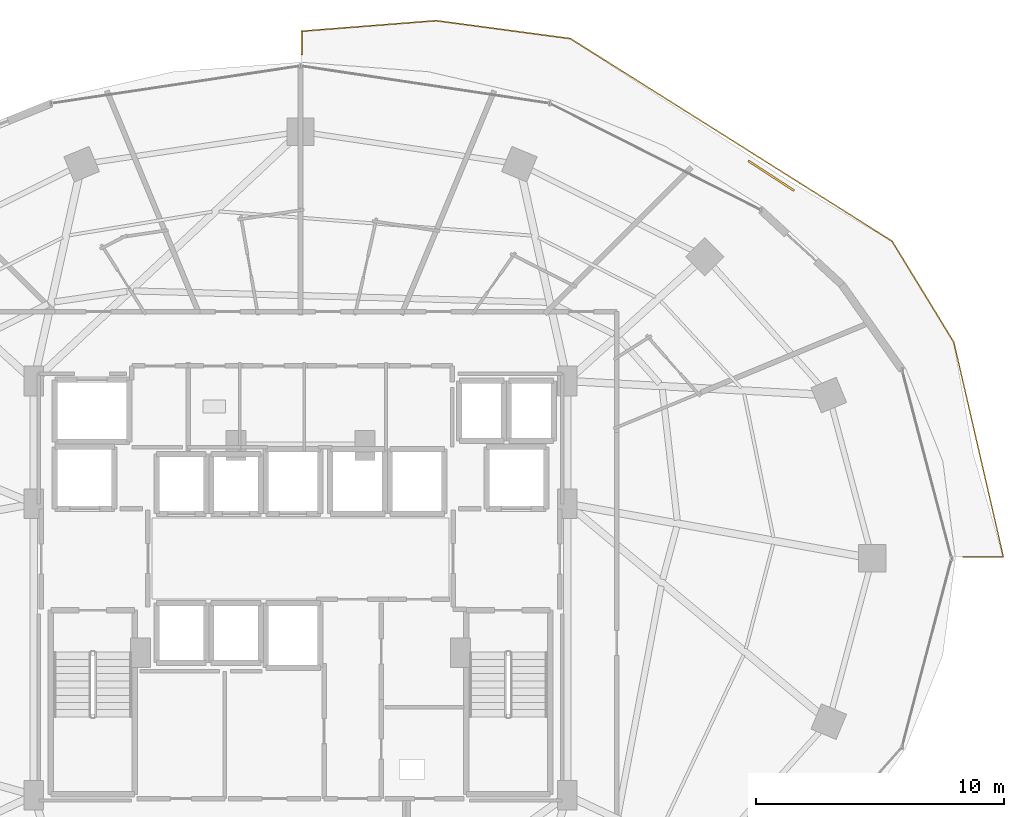
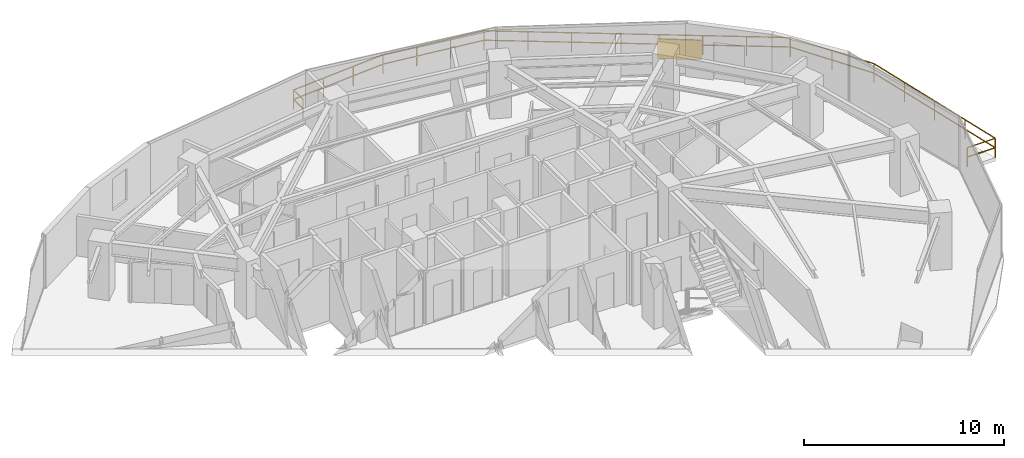
# One storey, part 30 of 31: 2 railings, 1 shading device.
"""IFC4 building model written with IfcOpenShell, lengths in metres."""

from ifc_helpers import new_model, si_unit, direction, frame, origin, origin_2d, place, context, subcontext, project, spatial, rectangle, extrude, material, type_object, element, save


model = new_model("IFC4")

# Units and contexts
model_context = context("Model", 3, precision=1e-05, world=origin(), true_north=direction((0.0, 1.0)))
body_context = subcontext(model_context, "Body", "Model", "MODEL_VIEW")
ifc_project = project(units=[si_unit("LENGTHUNIT", "METRE"), si_unit("AREAUNIT", "SQUARE_METRE"), si_unit("VOLUMEUNIT", "CUBIC_METRE"), si_unit("PLANEANGLEUNIT", "RADIAN"), si_unit("MASSUNIT", "GRAM", prefix="KILO")], contexts=[model_context])

# Site, building, storey
site_placement = place(None, origin())
site = spatial("IfcSite", under=ifc_project, at=site_placement, CompositionType="ELEMENT")
building_placement = place(site_placement, origin())
building = spatial("IfcBuilding", under=site, at=building_placement, Name="Vorneva Point Tower", CompositionType="ELEMENT")
storey_placement = place(building_placement, frame((0.0, 0.0, 99.800048828125)))
storey = spatial("IfcBuildingStorey", under=building, at=storey_placement, Name="L26", CompositionType="ELEMENT", Elevation=99.800048828125)

# Railings
ifc_material = material(Name="Pale anodised aluminium", Category="aluminium")
railing_type = type_object("IfcRailingType", Name="RL-BAL-1200", PredefinedType="BALUSTRADE", material=ifc_material)
railing_1_placement = place(storey_placement, frame((38.050048828125, 47.25390625, 0.0)))
element("IfcRailing", 1, at=railing_1_placement, inside=storey, type_object=railing_type, Name="L26 Wave Balcony Balustrade NE.1", PredefinedType="BALUSTRADE", context=body_context, shape_type="SweptSolid", body=[
    extrude(rectangle(XDim=0.048095703125, YDim=0.048095703125, at=origin_2d()), frame((0.0, 0.0, 1.17578125), z_axis=(0.0, -1.0, 0.0), x_axis=(1.0, 0.0, 0.0)), (0.0, 0.0, 1.0), 0.936767578125),
    extrude(rectangle(XDim=0.048095703125, YDim=0.048095703125, at=origin_2d()), frame((0.0, 0.0, 0.60009765625), z_axis=(0.0, -1.0, 0.0), x_axis=(1.0, 0.0, 0.0)), (0.0, 0.0, 1.0), 0.936767578125),
    extrude(rectangle(XDim=0.0419921875, YDim=0.0419921875, at=origin_2d()), origin(), (0.0, 0.0, 1.0), 1.15185546875),
    extrude(rectangle(XDim=0.0419921875, YDim=0.0419921875, at=origin_2d()), frame((0.0, -0.936767578125, 0.0)), (0.0, 0.0, 1.0), 1.15185546875),
])
railing_2_placement = place(storey_placement, frame((64.71630859375, 26.050048828125, 0.0)))
element("IfcRailing", 2, at=railing_2_placement, inside=storey, type_object=railing_type, Name="L26 Wave Balcony Balustrade NE.2", PredefinedType="BALUSTRADE", context=body_context, shape_type="SweptSolid", body=[
    extrude(rectangle(XDim=0.048095703125, YDim=0.048095703125, at=origin_2d()), frame((0.0, 0.0, 1.17578125), z_axis=(1.0, 0.0, 0.0), x_axis=(0.0, 1.0, 0.0)), (0.0, 0.0, 1.0), 1.619140625),
    extrude(rectangle(XDim=0.048095703125, YDim=0.048095703125, at=origin_2d()), frame((0.0, 0.0, 0.60009765625), z_axis=(1.0, 0.0, 0.0), x_axis=(0.0, 1.0, 0.0)), (0.0, 0.0, 1.0), 1.619140625),
    extrude(rectangle(XDim=0.048095703125, YDim=0.048095703125, at=origin_2d()), frame((1.619140625, 0.0, 1.17578125), z_axis=(-0.224729212493, 0.974421254413, 0.0), x_axis=(-0.974421254413, -0.224729212493, 0.0)), (0.0, 0.0, 1.0), 8.895263671875),
    extrude(rectangle(XDim=0.048095703125, YDim=0.048095703125, at=origin_2d()), frame((1.619140625, 0.0, 0.60009765625), z_axis=(-0.224729212493, 0.974421254413, 0.0), x_axis=(-0.974421254413, -0.224729212493, 0.0)), (0.0, 0.0, 1.0), 8.895263671875),
    extrude(rectangle(XDim=0.048095703125, YDim=0.048095703125, at=origin_2d()), frame((-0.3798828125, 8.667724609375, 1.17578125), z_axis=(-0.521518350517, 0.85324006591, 0.0), x_axis=(-0.85324006591, -0.521518350517, 0.0)), (0.0, 0.0, 1.0), 4.768310546875),
    extrude(rectangle(XDim=0.048095703125, YDim=0.048095703125, at=origin_2d()), frame((-0.3798828125, 8.667724609375, 0.60009765625), z_axis=(-0.521518350517, 0.85324006591, 0.0), x_axis=(-0.85324006591, -0.521518350517, 0.0)), (0.0, 0.0, 1.0), 4.768310546875),
    extrude(rectangle(XDim=0.048095703125, YDim=0.048095703125, at=origin_2d()), frame((-2.86669921875, 12.736328125, 1.17578125), z_axis=(-0.846147977037, 0.532948028382, 0.0), x_axis=(-0.532948028382, -0.846147977037, 0.0)), (0.0, 0.0, 1.0), 15.327392578125),
    extrude(rectangle(XDim=0.048095703125, YDim=0.048095703125, at=origin_2d()), frame((-2.86669921875, 12.736328125, 0.60009765625), z_axis=(-0.846147977037, 0.532948028382, 0.0), x_axis=(-0.532948028382, -0.846147977037, 0.0)), (0.0, 0.0, 1.0), 15.327392578125),
    extrude(rectangle(XDim=0.048095703125, YDim=0.048095703125, at=origin_2d()), frame((-15.8359375, 20.905029296875, 1.17578125), z_axis=(-0.991196282711, 0.132400638746, 0.0), x_axis=(-0.132400638746, -0.991196282711, 0.0)), (0.0, 0.0, 1.0), 5.46728515625),
    extrude(rectangle(XDim=0.048095703125, YDim=0.048095703125, at=origin_2d()), frame((-15.8359375, 20.905029296875, 0.60009765625), z_axis=(-0.991196282711, 0.132400638746, 0.0), x_axis=(-0.132400638746, -0.991196282711, 0.0)), (0.0, 0.0, 1.0), 5.46728515625),
    extrude(rectangle(XDim=0.048095703125, YDim=0.048095703125, at=origin_2d()), frame((-21.255126953125, 21.62890625, 1.17578125), z_axis=(-0.996929089546, -0.078309580622, 0.0), x_axis=(0.078309580622, -0.996929089546, 0.0)), (0.0, 0.0, 1.0), 5.427734375),
    extrude(rectangle(XDim=0.048095703125, YDim=0.048095703125, at=origin_2d()), frame((-21.255126953125, 21.62890625, 0.60009765625), z_axis=(-0.996929089546, -0.078309580622, 0.0), x_axis=(0.078309580622, -0.996929089546, 0.0)), (0.0, 0.0, 1.0), 5.427734375),
    extrude(rectangle(XDim=0.0419921875, YDim=0.0419921875, at=origin_2d()), origin(), (0.0, 0.0, 1.0), 1.15185546875),
    extrude(rectangle(XDim=0.0419921875, YDim=0.0419921875, at=origin_2d()), frame((1.619140625, 0.0, 0.0)), (0.0, 0.0, 1.0), 1.15185546875),
    extrude(rectangle(XDim=0.0419921875, YDim=0.0419921875, at=origin_2d()), frame((1.119384765625, 2.1669921875, 0.0)), (0.0, 0.0, 1.0), 1.15185546875),
    extrude(rectangle(XDim=0.0419921875, YDim=0.0419921875, at=origin_2d()), frame((0.61962890625, 4.333984375, 0.0)), (0.0, 0.0, 1.0), 1.15185546875),
    extrude(rectangle(XDim=0.0419921875, YDim=0.0419921875, at=origin_2d()), frame((0.119873046875, 6.500732421875, 0.0)), (0.0, 0.0, 1.0), 1.15185546875),
    extrude(rectangle(XDim=0.0419921875, YDim=0.0419921875, at=origin_2d()), frame((-0.3798828125, 8.667724609375, 0.0)), (0.0, 0.0, 1.0), 1.15185546875),
    extrude(rectangle(XDim=0.0419921875, YDim=0.0419921875, at=origin_2d()), frame((-1.623291015625, 10.7021484375, 0.0)), (0.0, 0.0, 1.0), 1.15185546875),
    extrude(rectangle(XDim=0.0419921875, YDim=0.0419921875, at=origin_2d()), frame((-2.86669921875, 12.736328125, 0.0)), (0.0, 0.0, 1.0), 1.15185546875),
    extrude(rectangle(XDim=0.0419921875, YDim=0.0419921875, at=origin_2d()), frame((-4.719482421875, 13.9033203125, 0.0)), (0.0, 0.0, 1.0), 1.15185546875),
    extrude(rectangle(XDim=0.0419921875, YDim=0.0419921875, at=origin_2d()), frame((-6.572265625, 15.0703125, 0.0)), (0.0, 0.0, 1.0), 1.15185546875),
    extrude(rectangle(XDim=0.0419921875, YDim=0.0419921875, at=origin_2d()), frame((-8.425048828125, 16.2373046875, 0.0)), (0.0, 0.0, 1.0), 1.15185546875),
    extrude(rectangle(XDim=0.0419921875, YDim=0.0419921875, at=origin_2d()), frame((-10.277587890625, 17.404052734375, 0.0)), (0.0, 0.0, 1.0), 1.15185546875),
    extrude(rectangle(XDim=0.0419921875, YDim=0.0419921875, at=origin_2d()), frame((-12.13037109375, 18.571044921875, 0.0)), (0.0, 0.0, 1.0), 1.15185546875),
    extrude(rectangle(XDim=0.0419921875, YDim=0.0419921875, at=origin_2d()), frame((-13.983154296875, 19.738037109375, 0.0)), (0.0, 0.0, 1.0), 1.15185546875),
    extrude(rectangle(XDim=0.0419921875, YDim=0.0419921875, at=origin_2d()), frame((-15.8359375, 20.905029296875, 0.0)), (0.0, 0.0, 1.0), 1.15185546875),
    extrude(rectangle(XDim=0.0419921875, YDim=0.0419921875, at=origin_2d()), frame((-17.642333984375, 21.146240234375, 0.0)), (0.0, 0.0, 1.0), 1.15185546875),
    extrude(rectangle(XDim=0.0419921875, YDim=0.0419921875, at=origin_2d()), frame((-19.44873046875, 21.3876953125, 0.0)), (0.0, 0.0, 1.0), 1.15185546875),
    extrude(rectangle(XDim=0.0419921875, YDim=0.0419921875, at=origin_2d()), frame((-21.255126953125, 21.62890625, 0.0)), (0.0, 0.0, 1.0), 1.15185546875),
    extrude(rectangle(XDim=0.0419921875, YDim=0.0419921875, at=origin_2d()), frame((-23.058837890625, 21.4873046875, 0.0)), (0.0, 0.0, 1.0), 1.15185546875),
    extrude(rectangle(XDim=0.0419921875, YDim=0.0419921875, at=origin_2d()), frame((-24.862548828125, 21.345458984375, 0.0)), (0.0, 0.0, 1.0), 1.15185546875),
    extrude(rectangle(XDim=0.0419921875, YDim=0.0419921875, at=origin_2d()), frame((-26.666259765625, 21.203857421875, 0.0)), (0.0, 0.0, 1.0), 1.15185546875),
])

# Shading device
shading_device_type = type_object("IfcShadingDeviceType", Name="SHD-JAL-1200", PredefinedType="JALOUSIE", material=ifc_material)
shading_device_placement = place(storey_placement, frame((56.973388671875, 41.42529296875, -0.02001953125), z_axis=(0.0, 0.0, 1.0), x_axis=(-0.837785429309, 0.54599961029, 0.0)))
element("IfcShadingDevice", 3, at=shading_device_placement, inside=storey, type_object=shading_device_type, Name="L26 Balcony Vertical-Greenery Planter Screen NE.2", PredefinedType="JALOUSIE", context=body_context, shape_type="SweptSolid", body=[
    extrude(rectangle(XDim=2.199951171875, YDim=0.080078125, at=origin_2d()), origin(), (0.0, 0.0, 1.0), 1.199951171875),
])

save(model, "model.ifc")
